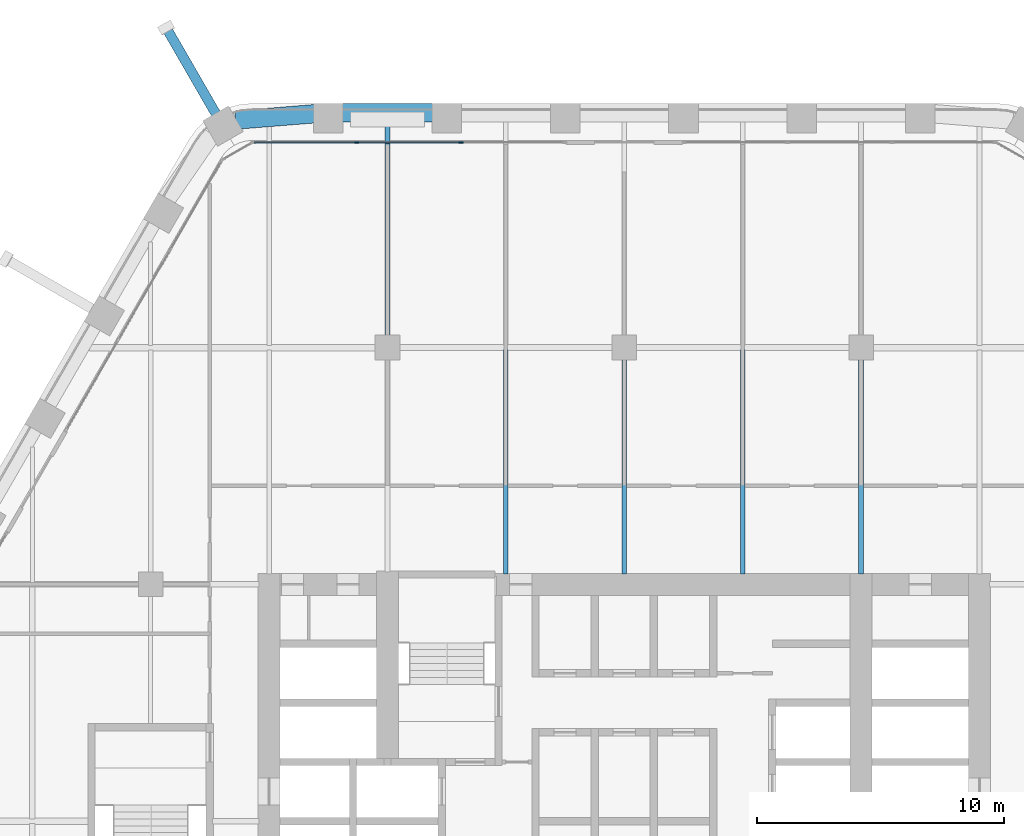
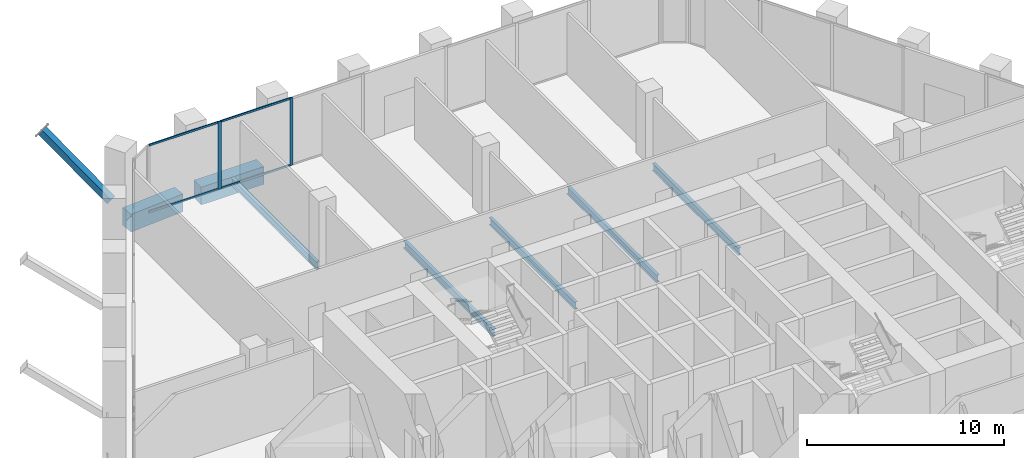
# One storey, part 8 of 27: 7 beams, 7 members, 1 element without a shape of its own.
"""IFC4 building model written with IfcOpenShell, lengths in metres."""

from ifc_helpers import new_model, si_unit, direction, frame, origin, origin_2d, place, context, subcontext, project, spatial, rectangle, hollow_rectangle, i_section, extrude, material, material_profile, profile_set, type_object, element, aggregate, save


model = new_model("IFC4")

# Units and contexts
model_context = context("Model", 3, precision=1e-05, world=origin(), true_north=direction((0.0, 1.0)))
body_context = subcontext(model_context, "Body", "Model", "MODEL_VIEW")
ifc_project = project(units=[si_unit("LENGTHUNIT", "METRE"), si_unit("AREAUNIT", "SQUARE_METRE"), si_unit("VOLUMEUNIT", "CUBIC_METRE"), si_unit("PLANEANGLEUNIT", "RADIAN"), si_unit("MASSUNIT", "GRAM", prefix="KILO")], contexts=[model_context])

# Site, building, storey
site_placement = place(None, origin())
site = spatial("IfcSite", under=ifc_project, at=site_placement, CompositionType="ELEMENT")
building_placement = place(site_placement, origin())
building = spatial("IfcBuilding", under=site, at=building_placement, Name="Kolab Exchange Tower", CompositionType="ELEMENT")
storey_placement = place(building_placement, frame((0.0, 0.0, 118.39990234375)))
storey = spatial("IfcBuildingStorey", under=building, at=storey_placement, Name="L23", CompositionType="ELEMENT", Elevation=118.39990234375)

# Beams
ifc_material_1 = material(Name="Steel S355", Category="steel")
ifc_material_profile_1 = material_profile(ifc_material_1, i_section(OverallWidth=0.18994140625, OverallDepth=0.45703125, WebThickness=0.009033203125, FlangeThickness=0.014404296875, at=origin_2d()), Name="W460X74")
ifc_profile_set_1 = profile_set([ifc_material_profile_1], Name="Steel S355")
beam_type_1 = type_object("IfcBeamType", Name="FLOOR BEAM W460X74", PredefinedType="BEAM", material=ifc_profile_set_1)
beam_1_placement = place(storey_placement, frame((-9.60009765625, 19.659912109375, -0.428466796875), z_axis=(0.0, 1.0, 0.0), x_axis=(-1.0, 0.0, 0.0)))
element("IfcBeam", 1, at=beam_1_placement, inside=storey, type_object=beam_type_1, Name="beam/L23/fr/019", PredefinedType="BEAM", context=body_context, shape_type="SweptSolid", body=[
    extrude(i_section(OverallWidth=0.18994140625, OverallDepth=0.45703125, WebThickness=0.009033203125, FlangeThickness=0.014404296875, at=origin_2d()), origin(), (0.0, 0.0, 1.0), 8.728515625),
])
beam_2_placement = place(storey_placement, frame((-4.800048828125, 10.010009765625, -0.428466796875), z_axis=(0.0, 1.0, 0.0), x_axis=(-1.0, 0.0, 0.0)))
element("IfcBeam", 2, at=beam_2_placement, inside=storey, type_object=beam_type_1, Name="beam/L23/fr/022", PredefinedType="BEAM", context=body_context, shape_type="SweptSolid", body=[
    extrude(i_section(OverallWidth=0.18994140625, OverallDepth=0.45703125, WebThickness=0.009033203125, FlangeThickness=0.014404296875, at=origin_2d()), origin(), (0.0, 0.0, 1.0), 9.115966796875),
])
beam_3_placement = place(storey_placement, frame((0.0, 10.010009765625, -0.428466796875), z_axis=(0.0, 1.0, 0.0), x_axis=(-1.0, 0.0, 0.0)))
element("IfcBeam", 3, at=beam_3_placement, inside=storey, type_object=beam_type_1, Name="beam/L23/fr/026", PredefinedType="BEAM", context=body_context, shape_type="SweptSolid", body=[
    extrude(i_section(OverallWidth=0.18994140625, OverallDepth=0.45703125, WebThickness=0.009033203125, FlangeThickness=0.014404296875, at=origin_2d()), origin(), (0.0, 0.0, 1.0), 8.72998046875),
])
beam_4_placement = place(storey_placement, frame((4.800048828125, 10.010009765625, -0.428466796875), z_axis=(0.0, 1.0, 0.0), x_axis=(-1.0, 0.0, 0.0)))
element("IfcBeam", 4, at=beam_4_placement, inside=storey, type_object=beam_type_1, Name="beam/L23/fr/030", PredefinedType="BEAM", context=body_context, shape_type="SweptSolid", body=[
    extrude(i_section(OverallWidth=0.18994140625, OverallDepth=0.45703125, WebThickness=0.009033203125, FlangeThickness=0.014404296875, at=origin_2d()), origin(), (0.0, 0.0, 1.0), 9.115966796875),
])
beam_5_placement = place(storey_placement, frame((9.60009765625, 10.010009765625, -0.428466796875), z_axis=(0.0, 1.0, 0.0), x_axis=(-1.0, 0.0, 0.0)))
element("IfcBeam", 5, at=beam_5_placement, inside=storey, type_object=beam_type_1, Name="beam/L23/fr/034", PredefinedType="BEAM", context=body_context, shape_type="SweptSolid", body=[
    extrude(i_section(OverallWidth=0.18994140625, OverallDepth=0.45703125, WebThickness=0.009033203125, FlangeThickness=0.014404296875, at=origin_2d()), origin(), (0.0, 0.0, 1.0), 8.72998046875),
])

# Member
ifc_material_profile_2 = material_profile(ifc_material_1, hollow_rectangle(XDim=0.39990234375, YDim=0.39990234375, WallThickness=0.02001953125, at=origin_2d()), Name="HSS400X400X20")
ifc_profile_set_2 = profile_set([ifc_material_profile_2], Name="Steel S355")
member_type_1 = type_object("IfcMemberType", Name="LEDGE STRUT HSS400X400X20", PredefinedType="STRUT", material=ifc_profile_set_2)
member_1_placement = place(storey_placement, frame((-16.5478515625, 28.661865234375, 0.60009765625), z_axis=(-0.40533170136, 0.702055669831, 0.585511783255), x_axis=(-0.866025579307, -0.499999695987, 0.0)))
element("IfcMember", 6, at=member_1_placement, inside=storey, type_object=member_type_1, Name="mem/L23/ledge/strut-8", PredefinedType="STRUT", context=body_context, shape_type="SweptSolid", body=[
    extrude(hollow_rectangle(XDim=0.39990234375, YDim=0.39990234375, WallThickness=0.02001953125, at=origin_2d()), origin(), (0.0, 0.0, 1.0), 4.983642578125),
])

# Beams
ifc_material_2 = material(Name="Concrete C70/85", Category="concrete")
ifc_material_profile_3 = material_profile(ifc_material_2, rectangle(XDim=0.75, YDim=1.10009765625, at=origin_2d()), Name="RC750X1100")
ifc_profile_set_3 = profile_set([ifc_material_profile_3], Name="Concrete C70/85")
beam_type_2 = type_object("IfcBeamType", Name="SPANDREL BEAM 750X1100 C70/85", PredefinedType="BEAM", material=ifc_profile_set_3)
beam_6_placement = place(storey_placement, frame((-15.75830078125, 28.421630859375, -0.75), z_axis=(0.996791038408, 0.080047646748, 0.0), x_axis=(-0.080047646748, 0.996791038408, 0.0)))
element("IfcBeam", 7, at=beam_6_placement, inside=storey, type_object=beam_type_2, Name="beam/L23/sp/F1-01", PredefinedType="BEAM", context=body_context, shape_type="SweptSolid", body=[
    extrude(rectangle(XDim=0.75, YDim=1.10009765625, at=origin_2d()), origin(), (0.0, 0.0, 1.0), 3.20849609375),
])
beam_7_placement = place(storey_placement, frame((-11.43994140625, 28.723388671875, -0.75), z_axis=(1.0, 0.0, 0.0), x_axis=(0.0, 1.0, 0.0)))
element("IfcBeam", 8, at=beam_7_placement, inside=storey, type_object=beam_type_2, Name="beam/L23/sp/F1-02", PredefinedType="BEAM", context=body_context, shape_type="SweptSolid", body=[
    extrude(rectangle(XDim=0.75, YDim=1.10009765625, at=origin_2d()), origin(), (0.0, 0.0, 1.0), 3.679931640625),
])

# Curtain wall, members
ifc_material_3 = material(Name="Aluminium EN AW-6063 T6", Category="aluminium")
curtain_wall_type = type_object("IfcCurtainWallType", Name="UNITISED LOWER MID ZONE CURTAIN WALL", PredefinedType="NOTDEFINED", material=ifc_material_3)
curtain_wall_placement = place(storey_placement, origin())
curtain_wall = element("IfcCurtainWall", 9, at=curtain_wall_placement, inside=storey, type_object=curtain_wall_type, Name="cw/L23/F1-1", PredefinedType="NOTDEFINED")
ifc_material_profile_4 = material_profile(ifc_material_3, rectangle(XDim=0.06005859375, YDim=0.179931640625, at=origin_2d()), Name="RECT 60X180")
ifc_profile_set_4 = profile_set([ifc_material_profile_4], Name="Aluminium EN AW-6063 T6")
member_type_2 = type_object("IfcMemberType", Name="UNITISED LOWER MID ZONE MULLION 60 X 180", PredefinedType="MULLION", material=ifc_profile_set_4)
member_2_placement = place(storey_placement, frame((-10.84521484375, 27.5185546875, 0.0), z_axis=(0.0, 0.0, 1.0), x_axis=(0.0, 1.0, 0.0)))
member_2 = element("IfcMember", 10, at=member_2_placement, type_object=member_type_2, Name="CW2 mullion 2", PredefinedType="MULLION", context=body_context, shape_type="SweptSolid", body=[
    extrude(rectangle(XDim=0.06005859375, YDim=0.179931640625, at=origin_2d()), origin(), (0.0, 0.0, 1.0), 4.2001953125),
])
member_3_placement = place(storey_placement, frame((-6.62255859375, 27.5185546875, 0.0), z_axis=(0.0, 0.0, 1.0), x_axis=(0.0, 1.0, 0.0)))
member_3 = element("IfcMember", 11, at=member_3_placement, type_object=member_type_2, Name="CW2 mullion 3", PredefinedType="MULLION", context=body_context, shape_type="SweptSolid", body=[
    extrude(rectangle(XDim=0.06005859375, YDim=0.179931640625, at=origin_2d()), origin(), (0.0, 0.0, 1.0), 4.2001953125),
])
ifc_material_profile_5 = material_profile(ifc_material_3, rectangle(XDim=0.06005859375, YDim=0.1201171875, at=origin_2d()), Name="RECT 60X120")
ifc_profile_set_5 = profile_set([ifc_material_profile_5], Name="Aluminium EN AW-6063 T6")
member_type_3 = type_object("IfcMemberType", Name="UNITISED LOWER MID ZONE TRANSOM 60 X 120", PredefinedType="USERDEFINED", material=ifc_profile_set_5)
member_4_placement = place(storey_placement, frame((-15.008056640625, 27.5185546875, 0.030029296875), z_axis=(1.0, 0.0, 0.0), x_axis=(0.0, 1.0, 0.0)))
member_4 = element("IfcMember", 12, at=member_4_placement, type_object=member_type_3, Name="CW2 transom 1.1", ObjectType="TRANSOM", PredefinedType="USERDEFINED", context=body_context, shape_type="SweptSolid", body=[
    extrude(rectangle(XDim=0.06005859375, YDim=0.1201171875, at=origin_2d()), origin(), (0.0, 0.0, 1.0), 4.1328125),
])
member_5_placement = place(storey_placement, frame((-15.008056640625, 27.5185546875, 4.170166015625), z_axis=(1.0, 0.0, 0.0), x_axis=(0.0, 1.0, 0.0)))
member_5 = element("IfcMember", 13, at=member_5_placement, type_object=member_type_3, Name="CW2 transom 1.2", ObjectType="TRANSOM", PredefinedType="USERDEFINED", context=body_context, shape_type="SweptSolid", body=[
    extrude(rectangle(XDim=0.06005859375, YDim=0.1201171875, at=origin_2d()), origin(), (0.0, 0.0, 1.0), 4.1328125),
])
member_6_placement = place(storey_placement, frame((-10.815185546875, 27.5185546875, 0.030029296875), z_axis=(1.0, 0.0, 0.0), x_axis=(0.0, 1.0, 0.0)))
member_6 = element("IfcMember", 14, at=member_6_placement, type_object=member_type_3, Name="CW2 transom 2.1", ObjectType="TRANSOM", PredefinedType="USERDEFINED", context=body_context, shape_type="SweptSolid", body=[
    extrude(rectangle(XDim=0.06005859375, YDim=0.1201171875, at=origin_2d()), origin(), (0.0, 0.0, 1.0), 4.16259765625),
])
member_7_placement = place(storey_placement, frame((-10.815185546875, 27.5185546875, 4.170166015625), z_axis=(1.0, 0.0, 0.0), x_axis=(0.0, 1.0, 0.0)))
member_7 = element("IfcMember", 15, at=member_7_placement, type_object=member_type_3, Name="CW2 transom 2.2", ObjectType="TRANSOM", PredefinedType="USERDEFINED", context=body_context, shape_type="SweptSolid", body=[
    extrude(rectangle(XDim=0.06005859375, YDim=0.1201171875, at=origin_2d()), origin(), (0.0, 0.0, 1.0), 4.16259765625),
])
aggregate(curtain_wall, [member_2, member_3, member_4, member_5, member_6, member_7])

save(model, "model.ifc")
